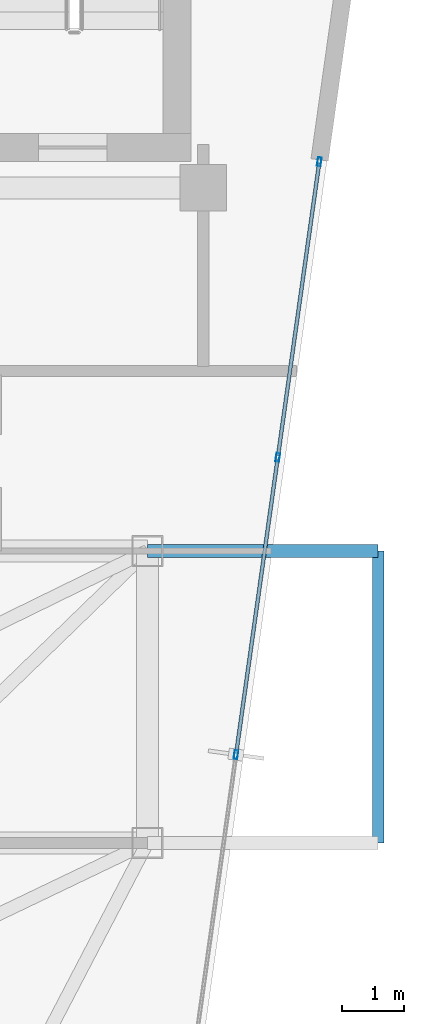
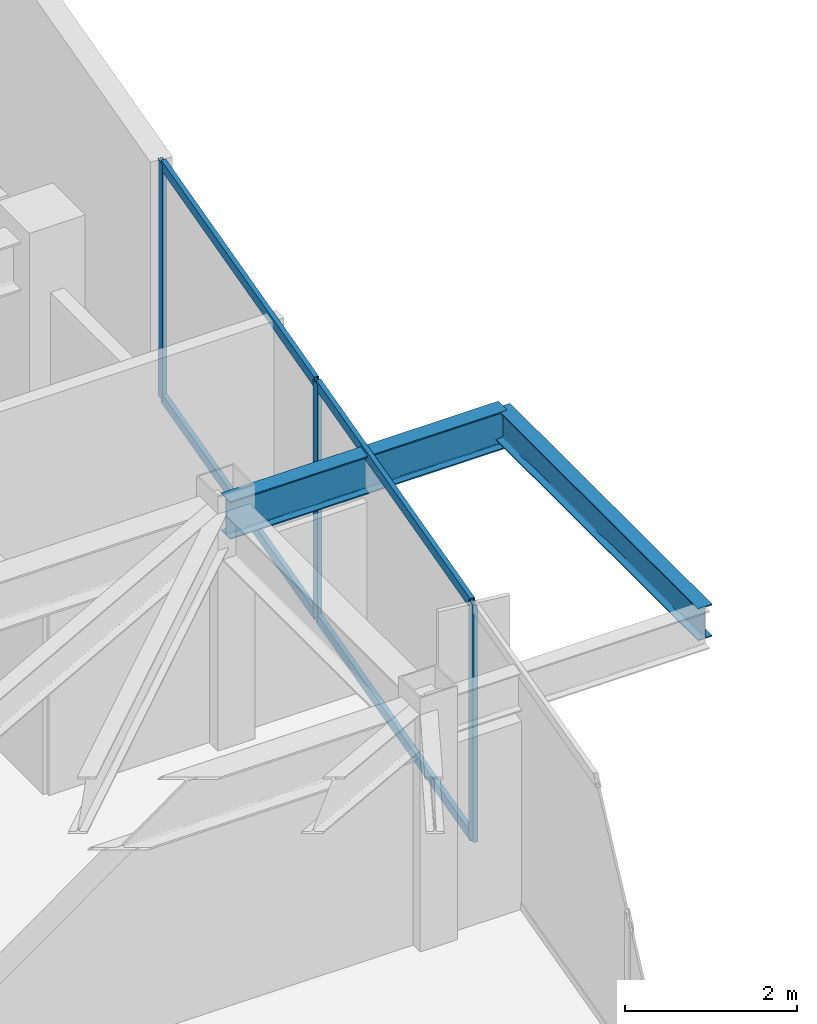
# One storey, part 14 of 21: 7 members, 2 beams, 1 element without a shape of its own.
"""IFC4 building model written with IfcOpenShell, lengths in metres."""

from ifc_helpers import new_model, si_unit, direction, frame, origin, origin_2d, place, context, subcontext, project, spatial, hollow_rectangle, i_section, extrude, material, layer, layer_set, material_profile, profile_set, type_object, element, aggregate, save


model = new_model("IFC4")

# Units and contexts
model_context = context("Model", 3, precision=1e-05, world=origin(), true_north=direction((0.0, 1.0)))
body_context = subcontext(model_context, "Body", "Model", "MODEL_VIEW")
ifc_project = project(units=[si_unit("LENGTHUNIT", "METRE"), si_unit("AREAUNIT", "SQUARE_METRE"), si_unit("VOLUMEUNIT", "CUBIC_METRE"), si_unit("PLANEANGLEUNIT", "RADIAN"), si_unit("MASSUNIT", "GRAM", prefix="KILO")], contexts=[model_context])

# Site, building, storey
site_placement = place(None, origin())
site = spatial("IfcSite", under=ifc_project, at=site_placement, CompositionType="ELEMENT")
building_placement = place(site_placement, origin())
building = spatial("IfcBuilding", under=site, at=building_placement, Name="Kravanh Interchange Tower", CompositionType="ELEMENT")
storey_placement = place(building_placement, frame((0.0, 0.0, 231.0)))
storey = spatial("IfcBuildingStorey", under=building, at=storey_placement, Name="L55", CompositionType="ELEMENT", Elevation=231.0)

# Curtain wall, members
ifc_material_1 = material(Name="Anodised Bronze Aluminium", Category="aluminium")
ifc_layer = layer(ifc_material_1, 0.179931640625)
ifc_layer_set = layer_set([ifc_layer], Name="Unitised Curtain Wall System CW-HTL Luxury Hotel")
curtain_wall_type = type_object("IfcCurtainWallType", Name="Unitised Curtain Wall System CW-HTL Luxury Hotel", PredefinedType="NOTDEFINED", material=ifc_layer_set)
curtain_wall_placement = place(storey_placement, origin())
curtain_wall = element("IfcCurtainWall", 1, at=curtain_wall_placement, inside=storey, type_object=curtain_wall_type, Name="L55 Unitised Curtain Wall CW-L55-01", PredefinedType="NOTDEFINED")
ifc_material_2 = material(Name="Anodised Bronze Aluminium", Category="aluminium")
ifc_material_profile_1 = material_profile(ifc_material_2, hollow_rectangle(XDim=0.06005859375, YDim=0.139892578125, WallThickness=0.00390625, at=origin_2d()), Name="ALU60X140X4")
ifc_profile_set_1 = profile_set([ifc_material_profile_1], Name="Anodised Bronze Aluminium")
member_type_1 = type_object("IfcMemberType", Name="Curtain Wall Mullion ALU60X140X4 Bronze", PredefinedType="MULLION", material=ifc_profile_set_1)
member_1_placement = place(storey_placement, frame((68.370849609375, 37.770263671875, 0.0), z_axis=(0.0, 0.0, 1.0), x_axis=(0.990267623707, -0.13917626751, 0.0)))
member_1 = element("IfcMember", 2, at=member_1_placement, type_object=member_type_1, Name="CW-HTL mullion 1", PredefinedType="MULLION", context=body_context, shape_type="SweptSolid", body=[
    extrude(hollow_rectangle(XDim=0.06005859375, YDim=0.139892578125, WallThickness=0.00390625, at=origin_2d()), origin(), (0.0, 0.0, 1.0), 3.360107421875),
])
member_2_placement = place(storey_placement, frame((67.701904296875, 33.010498046875, 0.0), z_axis=(0.0, 0.0, 1.0), x_axis=(0.990267623707, -0.13917626751, 0.0)))
member_2 = element("IfcMember", 3, at=member_2_placement, type_object=member_type_1, Name="CW-HTL mullion 2", PredefinedType="MULLION", context=body_context, shape_type="SweptSolid", body=[
    extrude(hollow_rectangle(XDim=0.06005859375, YDim=0.139892578125, WallThickness=0.00390625, at=origin_2d()), origin(), (0.0, 0.0, 1.0), 3.360107421875),
])
member_3_placement = place(storey_placement, frame((67.02880859375, 28.220703125, 0.0), z_axis=(0.0, 0.0, 1.0), x_axis=(0.990267623707, -0.13917626751, 0.0)))
member_3 = element("IfcMember", 4, at=member_3_placement, type_object=member_type_1, Name="CW-HTL mullion 3", PredefinedType="MULLION", context=body_context, shape_type="SweptSolid", body=[
    extrude(hollow_rectangle(XDim=0.06005859375, YDim=0.139892578125, WallThickness=0.00390625, at=origin_2d()), origin(), (0.0, 0.0, 1.0), 3.360107421875),
])
ifc_material_3 = material(Name="Anodised Bronze Aluminium", Category="aluminium")
ifc_material_profile_2 = material_profile(ifc_material_3, hollow_rectangle(XDim=0.06005859375, YDim=0.139892578125, WallThickness=0.00390625, at=origin_2d()), Name="ALU60X140X4")
ifc_profile_set_2 = profile_set([ifc_material_profile_2], Name="Anodised Bronze Aluminium")
member_type_2 = type_object("IfcMemberType", Name="Curtain Wall Transom ALU60X140X4 Bronze", PredefinedType="USERDEFINED", material=ifc_profile_set_2)
member_4_placement = place(storey_placement, frame((68.36669921875, 37.740478515625, 0.030029296875), z_axis=(-0.13918153974, -0.990266882712, 0.0), x_axis=(0.990266882712, -0.13918153974, 0.0)))
member_4 = element("IfcMember", 5, at=member_4_placement, type_object=member_type_2, Name="CW-HTL transom 1.1", ObjectType="TRANSOM", PredefinedType="USERDEFINED", context=body_context, shape_type="SweptSolid", body=[
    extrude(hollow_rectangle(XDim=0.06005859375, YDim=0.139892578125, WallThickness=0.00390625, at=origin_2d()), origin(), (0.0, 0.0, 1.0), 4.74658203125),
])
member_5_placement = place(storey_placement, frame((68.36669921875, 37.740478515625, 3.330078125), z_axis=(-0.13918153974, -0.990266882712, 0.0), x_axis=(0.990266882712, -0.13918153974, 0.0)))
member_5 = element("IfcMember", 6, at=member_5_placement, type_object=member_type_2, Name="CW-HTL transom 1.2", ObjectType="TRANSOM", PredefinedType="USERDEFINED", context=body_context, shape_type="SweptSolid", body=[
    extrude(hollow_rectangle(XDim=0.06005859375, YDim=0.139892578125, WallThickness=0.00390625, at=origin_2d()), origin(), (0.0, 0.0, 1.0), 4.74658203125),
])
member_6_placement = place(storey_placement, frame((67.69775390625, 32.980712890625, 0.030029296875), z_axis=(-0.139174169915, -0.990267918509, 0.0), x_axis=(0.990267918509, -0.139174169915, 0.0)))
member_6 = element("IfcMember", 7, at=member_6_placement, type_object=member_type_2, Name="CW-HTL transom 2.1", ObjectType="TRANSOM", PredefinedType="USERDEFINED", context=body_context, shape_type="SweptSolid", body=[
    extrude(hollow_rectangle(XDim=0.06005859375, YDim=0.139892578125, WallThickness=0.00390625, at=origin_2d()), origin(), (0.0, 0.0, 1.0), 4.776611328125),
])
member_7_placement = place(storey_placement, frame((67.69775390625, 32.980712890625, 3.330078125), z_axis=(-0.139174169915, -0.990267918509, 0.0), x_axis=(0.990267918509, -0.139174169915, 0.0)))
member_7 = element("IfcMember", 8, at=member_7_placement, type_object=member_type_2, Name="CW-HTL transom 2.2", ObjectType="TRANSOM", PredefinedType="USERDEFINED", context=body_context, shape_type="SweptSolid", body=[
    extrude(hollow_rectangle(XDim=0.06005859375, YDim=0.139892578125, WallThickness=0.00390625, at=origin_2d()), origin(), (0.0, 0.0, 1.0), 4.776611328125),
])
aggregate(curtain_wall, [member_1, member_2, member_3, member_4, member_5, member_6, member_7])

# Beams
ifc_material_4 = material(Name="Structural Steel S355", Category="steel")
ifc_material_profile_3 = material_profile(ifc_material_4, i_section(OverallWidth=0.18994140625, OverallDepth=0.45703125, WebThickness=0.009033203125, FlangeThickness=0.014404296875, FilletRadius=0.01806640625, at=origin_2d()), Name="W18X50")
ifc_profile_set_3 = profile_set([ifc_material_profile_3], Name="Structural Steel S355")
beam_type_1 = type_object("IfcBeamType", Name="Floor Joist W18X50 Structural Steel S355", PredefinedType="JOIST", material=ifc_profile_set_3)
beam_1_placement = place(storey_placement, frame((69.319091796875, 26.800048828125, 3.131591796875), z_axis=(0.0, 1.0, 0.0), x_axis=(-1.0, 0.0, 0.0)))
element("IfcBeam", 9, at=beam_1_placement, inside=storey, type_object=beam_type_1, Name="L55 Balcony Edge Tie Beam E", PredefinedType="JOIST", context=body_context, shape_type="SweptSolid", body=[
    extrude(i_section(OverallWidth=0.18994140625, OverallDepth=0.45703125, WebThickness=0.009033203125, FlangeThickness=0.014404296875, FilletRadius=0.01806640625, at=origin_2d()), origin(), (0.0, 0.0, 1.0), 4.699951171875),
])
ifc_material_5 = material(Name="Structural Steel S355", Category="steel")
ifc_material_profile_4 = material_profile(ifc_material_5, i_section(OverallWidth=0.2099609375, OverallDepth=0.537109375, WebThickness=0.010986328125, FlangeThickness=0.017333984375, FilletRadius=0.02001953125, at=origin_2d()), Name="W21X68")
ifc_profile_set_4 = profile_set([ifc_material_profile_4], Name="Structural Steel S355")
beam_type_2 = type_object("IfcBeamType", Name="Floor Spandrel W21X68 Structural Steel S355", PredefinedType="SPANDREL", material=ifc_profile_set_4)
beam_2_placement = place(storey_placement, frame((65.60009765625, 31.5, 3.091552734375), z_axis=(1.0, 0.0, 0.0), x_axis=(0.0, 1.0, 0.0)))
element("IfcBeam", 10, at=beam_2_placement, inside=storey, type_object=beam_type_2, Name="L55 Balcony Cantilever Outrigger E2", PredefinedType="SPANDREL", context=body_context, shape_type="SweptSolid", body=[
    extrude(i_section(OverallWidth=0.2099609375, OverallDepth=0.537109375, WebThickness=0.010986328125, FlangeThickness=0.017333984375, FilletRadius=0.02001953125, at=origin_2d()), origin(), (0.0, 0.0, 1.0), 3.718994140625),
])

save(model, "model.ifc")
